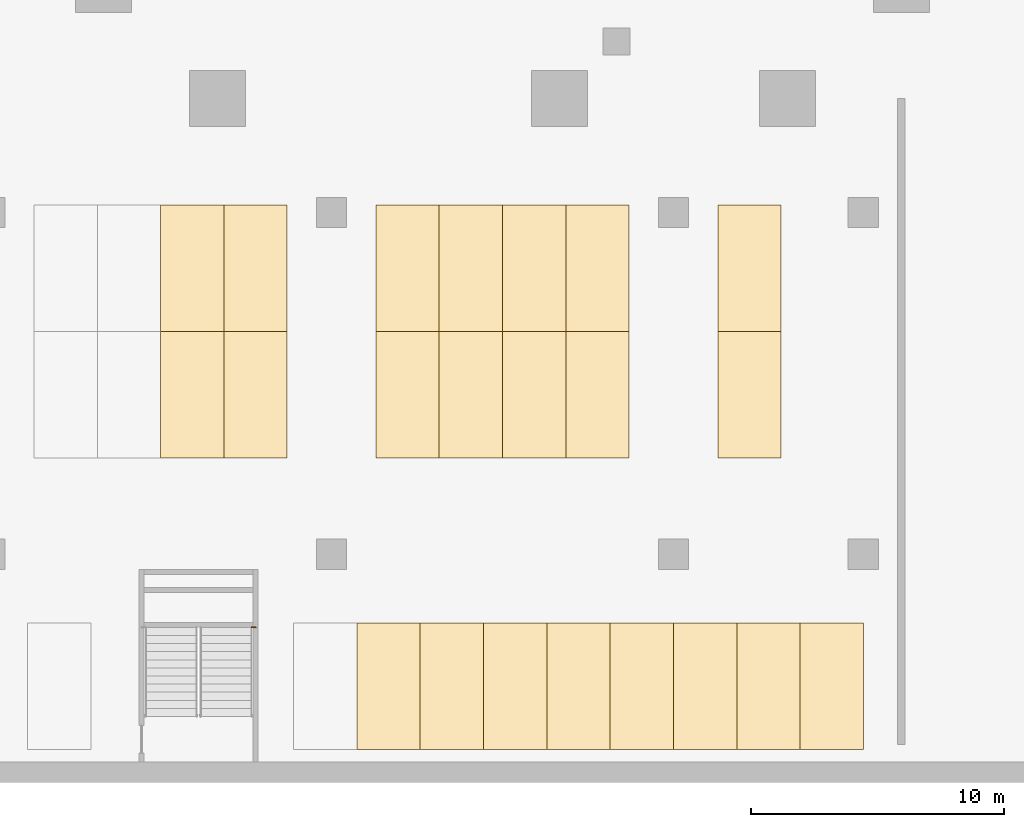
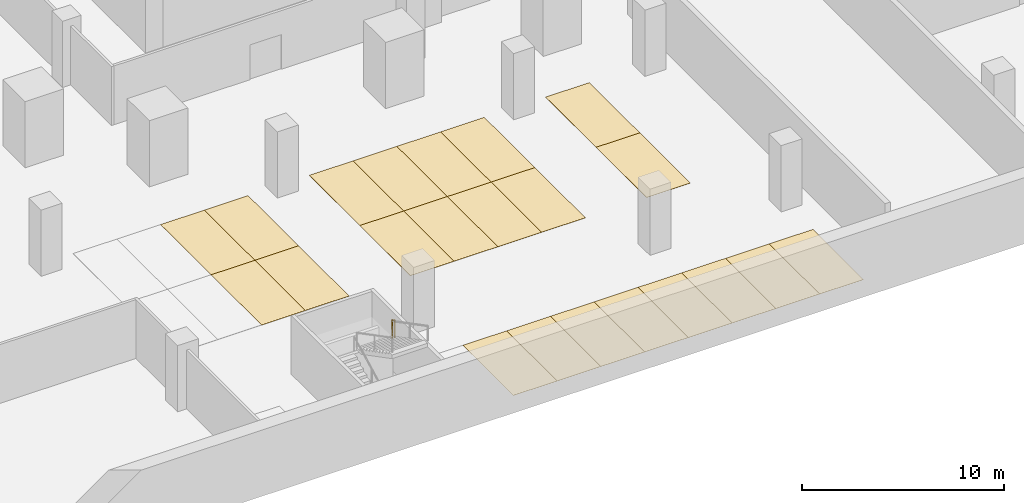
# One storey, part 22 of 31: 22 coverings, 1 railing.
"""IFC4 building model written with IfcOpenShell, lengths in metres."""

from ifc_helpers import new_model, si_unit, direction, frame, origin, origin_2d, place, context, subcontext, project, spatial, polyline, circle, outline, extrude, source, transform, mapped, material, layer, layer_set, type_object, element, save


model = new_model("IFC4")

# Units and contexts
model_context = context("Model", 3, precision=1e-05, world=origin(), true_north=direction((0.0, 1.0)))
body_context = subcontext(model_context, "Body", "Model", "MODEL_VIEW")
ifc_project = project(units=[si_unit("LENGTHUNIT", "METRE"), si_unit("AREAUNIT", "SQUARE_METRE"), si_unit("VOLUMEUNIT", "CUBIC_METRE"), si_unit("PLANEANGLEUNIT", "RADIAN"), si_unit("MASSUNIT", "GRAM", prefix="KILO")], contexts=[model_context])

# Site, building, storey
site_placement = place(None, origin())
site = spatial("IfcSite", under=ifc_project, at=site_placement, CompositionType="ELEMENT")
building_placement = place(site_placement, origin())
building = spatial("IfcBuilding", under=site, at=building_placement, Name="Altepetl Exchange Towers", CompositionType="ELEMENT")
storey_placement = place(building_placement, frame((0.0, 0.0, -4.0)))
storey = spatial("IfcBuildingStorey", under=building, at=storey_placement, Name="B1 Basement services", CompositionType="ELEMENT", Elevation=-4.0)

# Coverings
ifc_material_1 = material(Name="Road marking paint")
ifc_layer = layer(ifc_material_1, 0.010009765625)
ifc_layer_set = layer_set([ifc_layer], Name="Road marking paint")
covering_type = type_object("IfcCoveringType", Name="Parking bay marking 2500 x 5000", PredefinedType="FLOORING", material=ifc_layer_set)
covering_1_placement = place(storey_placement, origin())
element("IfcCovering", 1, at=covering_1_placement, inside=storey, type_object=covering_type, Name="Parking bay B1-018", PredefinedType="FLOORING", context=body_context, shape_type="SweptSolid", body=[
    extrude(outline(polyline([(104.5, 1.300048828125), (107.0, 1.300048828125), (107.0, 6.300048828125), (104.5, 6.300048828125), (104.5, 1.300048828125)])), origin(), (0.0, 0.0, 1.0), 0.010009765625),
])
covering_2_placement = place(storey_placement, origin())
element("IfcCovering", 2, at=covering_2_placement, inside=storey, type_object=covering_type, Name="Parking bay B1-019", PredefinedType="FLOORING", context=body_context, shape_type="SweptSolid", body=[
    extrude(outline(polyline([(107.0, 1.300048828125), (109.5, 1.300048828125), (109.5, 6.300048828125), (107.0, 6.300048828125), (107.0, 1.300048828125)])), origin(), (0.0, 0.0, 1.0), 0.010009765625),
])
covering_3_placement = place(storey_placement, origin())
element("IfcCovering", 3, at=covering_3_placement, inside=storey, type_object=covering_type, Name="Parking bay B1-020", PredefinedType="FLOORING", context=body_context, shape_type="SweptSolid", body=[
    extrude(outline(polyline([(109.5, 1.300048828125), (112.0, 1.300048828125), (112.0, 6.300048828125), (109.5, 6.300048828125), (109.5, 1.300048828125)])), origin(), (0.0, 0.0, 1.0), 0.010009765625),
])
covering_4_placement = place(storey_placement, origin())
element("IfcCovering", 4, at=covering_4_placement, inside=storey, type_object=covering_type, Name="Parking bay B1-021", PredefinedType="FLOORING", context=body_context, shape_type="SweptSolid", body=[
    extrude(outline(polyline([(112.0, 1.300048828125), (114.5, 1.300048828125), (114.5, 6.300048828125), (112.0, 6.300048828125), (112.0, 1.300048828125)])), origin(), (0.0, 0.0, 1.0), 0.010009765625),
])
covering_5_placement = place(storey_placement, origin())
element("IfcCovering", 5, at=covering_5_placement, inside=storey, type_object=covering_type, Name="Parking bay B1-022", PredefinedType="FLOORING", context=body_context, shape_type="SweptSolid", body=[
    extrude(outline(polyline([(114.5, 1.300048828125), (117.0, 1.300048828125), (117.0, 6.300048828125), (114.5, 6.300048828125), (114.5, 1.300048828125)])), origin(), (0.0, 0.0, 1.0), 0.010009765625),
])
covering_6_placement = place(storey_placement, origin())
element("IfcCovering", 6, at=covering_6_placement, inside=storey, type_object=covering_type, Name="Parking bay B1-023", PredefinedType="FLOORING", context=body_context, shape_type="SweptSolid", body=[
    extrude(outline(polyline([(117.0, 1.300048828125), (119.5, 1.300048828125), (119.5, 6.300048828125), (117.0, 6.300048828125), (117.0, 1.300048828125)])), origin(), (0.0, 0.0, 1.0), 0.010009765625),
])
covering_7_placement = place(storey_placement, origin())
element("IfcCovering", 7, at=covering_7_placement, inside=storey, type_object=covering_type, Name="Parking bay B1-024", PredefinedType="FLOORING", context=body_context, shape_type="SweptSolid", body=[
    extrude(outline(polyline([(119.5, 1.300048828125), (122.0, 1.300048828125), (122.0, 6.300048828125), (119.5, 6.300048828125), (119.5, 1.300048828125)])), origin(), (0.0, 0.0, 1.0), 0.010009765625),
])
covering_8_placement = place(storey_placement, origin())
element("IfcCovering", 8, at=covering_8_placement, inside=storey, type_object=covering_type, Name="Parking bay B1-025", PredefinedType="FLOORING", context=body_context, shape_type="SweptSolid", body=[
    extrude(outline(polyline([(122.0, 1.300048828125), (124.5, 1.300048828125), (124.5, 6.300048828125), (122.0, 6.300048828125), (122.0, 1.300048828125)])), origin(), (0.0, 0.0, 1.0), 0.010009765625),
])
covering_9_placement = place(storey_placement, origin())
element("IfcCovering", 9, at=covering_9_placement, inside=storey, type_object=covering_type, Name="Parking bay B1-042", PredefinedType="FLOORING", context=body_context, shape_type="SweptSolid", body=[
    extrude(outline(polyline([(96.75, 12.800048828125), (99.25, 12.800048828125), (99.25, 17.800048828125), (96.75, 17.800048828125), (96.75, 12.800048828125)])), origin(), (0.0, 0.0, 1.0), 0.010009765625),
])
covering_10_placement = place(storey_placement, origin())
element("IfcCovering", 10, at=covering_10_placement, inside=storey, type_object=covering_type, Name="Parking bay B1-043", PredefinedType="FLOORING", context=body_context, shape_type="SweptSolid", body=[
    extrude(outline(polyline([(99.25, 12.800048828125), (101.75, 12.800048828125), (101.75, 17.800048828125), (99.25, 17.800048828125), (99.25, 12.800048828125)])), origin(), (0.0, 0.0, 1.0), 0.010009765625),
])
covering_11_placement = place(storey_placement, origin())
element("IfcCovering", 11, at=covering_11_placement, inside=storey, type_object=covering_type, Name="Parking bay B1-044", PredefinedType="FLOORING", context=body_context, shape_type="SweptSolid", body=[
    extrude(outline(polyline([(105.25, 12.800048828125), (107.75, 12.800048828125), (107.75, 17.800048828125), (105.25, 17.800048828125), (105.25, 12.800048828125)])), origin(), (0.0, 0.0, 1.0), 0.010009765625),
])
covering_12_placement = place(storey_placement, origin())
element("IfcCovering", 12, at=covering_12_placement, inside=storey, type_object=covering_type, Name="Parking bay B1-045", PredefinedType="FLOORING", context=body_context, shape_type="SweptSolid", body=[
    extrude(outline(polyline([(107.75, 12.800048828125), (110.25, 12.800048828125), (110.25, 17.800048828125), (107.75, 17.800048828125), (107.75, 12.800048828125)])), origin(), (0.0, 0.0, 1.0), 0.010009765625),
])
covering_13_placement = place(storey_placement, origin())
element("IfcCovering", 13, at=covering_13_placement, inside=storey, type_object=covering_type, Name="Parking bay B1-046", PredefinedType="FLOORING", context=body_context, shape_type="SweptSolid", body=[
    extrude(outline(polyline([(110.25, 12.800048828125), (112.75, 12.800048828125), (112.75, 17.800048828125), (110.25, 17.800048828125), (110.25, 12.800048828125)])), origin(), (0.0, 0.0, 1.0), 0.010009765625),
])
covering_14_placement = place(storey_placement, origin())
element("IfcCovering", 14, at=covering_14_placement, inside=storey, type_object=covering_type, Name="Parking bay B1-047", PredefinedType="FLOORING", context=body_context, shape_type="SweptSolid", body=[
    extrude(outline(polyline([(112.75, 12.800048828125), (115.25, 12.800048828125), (115.25, 17.800048828125), (112.75, 17.800048828125), (112.75, 12.800048828125)])), origin(), (0.0, 0.0, 1.0), 0.010009765625),
])
covering_15_placement = place(storey_placement, origin())
element("IfcCovering", 15, at=covering_15_placement, inside=storey, type_object=covering_type, Name="Parking bay B1-048", PredefinedType="FLOORING", context=body_context, shape_type="SweptSolid", body=[
    extrude(outline(polyline([(118.75, 12.800048828125), (121.25, 12.800048828125), (121.25, 17.800048828125), (118.75, 17.800048828125), (118.75, 12.800048828125)])), origin(), (0.0, 0.0, 1.0), 0.010009765625),
])
covering_16_placement = place(storey_placement, origin())
element("IfcCovering", 16, at=covering_16_placement, inside=storey, type_object=covering_type, Name="Parking bay B1-065", PredefinedType="FLOORING", context=body_context, shape_type="SweptSolid", body=[
    extrude(outline(polyline([(96.75, 17.800048828125), (99.25, 17.800048828125), (99.25, 22.800048828125), (96.75, 22.800048828125), (96.75, 17.800048828125)])), origin(), (0.0, 0.0, 1.0), 0.010009765625),
])
covering_17_placement = place(storey_placement, origin())
element("IfcCovering", 17, at=covering_17_placement, inside=storey, type_object=covering_type, Name="Parking bay B1-066", PredefinedType="FLOORING", context=body_context, shape_type="SweptSolid", body=[
    extrude(outline(polyline([(99.25, 17.800048828125), (101.75, 17.800048828125), (101.75, 22.800048828125), (99.25, 22.800048828125), (99.25, 17.800048828125)])), origin(), (0.0, 0.0, 1.0), 0.010009765625),
])
covering_18_placement = place(storey_placement, origin())
element("IfcCovering", 18, at=covering_18_placement, inside=storey, type_object=covering_type, Name="Parking bay B1-067", PredefinedType="FLOORING", context=body_context, shape_type="SweptSolid", body=[
    extrude(outline(polyline([(105.25, 17.800048828125), (107.75, 17.800048828125), (107.75, 22.800048828125), (105.25, 22.800048828125), (105.25, 17.800048828125)])), origin(), (0.0, 0.0, 1.0), 0.010009765625),
])
covering_19_placement = place(storey_placement, origin())
element("IfcCovering", 19, at=covering_19_placement, inside=storey, type_object=covering_type, Name="Parking bay B1-068", PredefinedType="FLOORING", context=body_context, shape_type="SweptSolid", body=[
    extrude(outline(polyline([(107.75, 17.800048828125), (110.25, 17.800048828125), (110.25, 22.800048828125), (107.75, 22.800048828125), (107.75, 17.800048828125)])), origin(), (0.0, 0.0, 1.0), 0.010009765625),
])
covering_20_placement = place(storey_placement, origin())
element("IfcCovering", 20, at=covering_20_placement, inside=storey, type_object=covering_type, Name="Parking bay B1-069", PredefinedType="FLOORING", context=body_context, shape_type="SweptSolid", body=[
    extrude(outline(polyline([(110.25, 17.800048828125), (112.75, 17.800048828125), (112.75, 22.800048828125), (110.25, 22.800048828125), (110.25, 17.800048828125)])), origin(), (0.0, 0.0, 1.0), 0.010009765625),
])
covering_21_placement = place(storey_placement, origin())
element("IfcCovering", 21, at=covering_21_placement, inside=storey, type_object=covering_type, Name="Parking bay B1-070", PredefinedType="FLOORING", context=body_context, shape_type="SweptSolid", body=[
    extrude(outline(polyline([(112.75, 17.800048828125), (115.25, 17.800048828125), (115.25, 22.800048828125), (112.75, 22.800048828125), (112.75, 17.800048828125)])), origin(), (0.0, 0.0, 1.0), 0.010009765625),
])
covering_22_placement = place(storey_placement, origin())
element("IfcCovering", 22, at=covering_22_placement, inside=storey, type_object=covering_type, Name="Parking bay B1-071", PredefinedType="FLOORING", context=body_context, shape_type="SweptSolid", body=[
    extrude(outline(polyline([(118.75, 17.800048828125), (121.25, 17.800048828125), (121.25, 22.800048828125), (118.75, 22.800048828125), (118.75, 17.800048828125)])), origin(), (0.0, 0.0, 1.0), 0.010009765625),
])

# Railing
ifc_material_2 = material(Name="Laminated glass and steel", Category="steel")
railing_type = type_object("IfcRailingType", Name="Hall gallery guard 1100", PredefinedType="GUARDRAIL", material=ifc_material_2)
shared_shape = source(origin(), body_context, "Body", "SweptSolid", [
    extrude(circle(Radius=0.02001953125, at=origin_2d()), origin(), (0.0, 0.0, 1.0), 1.050048828125),
])
railing_placement = place(storey_placement, frame((100.35009765625, 6.1201171875, 2.0)))
element("IfcRailing", 23, at=railing_placement, inside=storey, type_object=railing_type, Name="rail:P:B1:ES2land1", PredefinedType="GUARDRAIL", context=body_context, shape_type="SweptSolid", body=[
    extrude(circle(Radius=0.02490234375, at=origin_2d()), frame((0.0, 0.0, 1.0751953125), z_axis=(1.0, 0.0, 0.0), x_axis=(0.0, 1.0, 0.0)), (0.0, 0.0, 1.0), 0.14990234375),
    mapped(shared_shape, transform((0.0, 0.0, 0.0))),
    mapped(shared_shape, transform((0.14990234375, 0.0, 0.0))),
])

save(model, "model.ifc")
